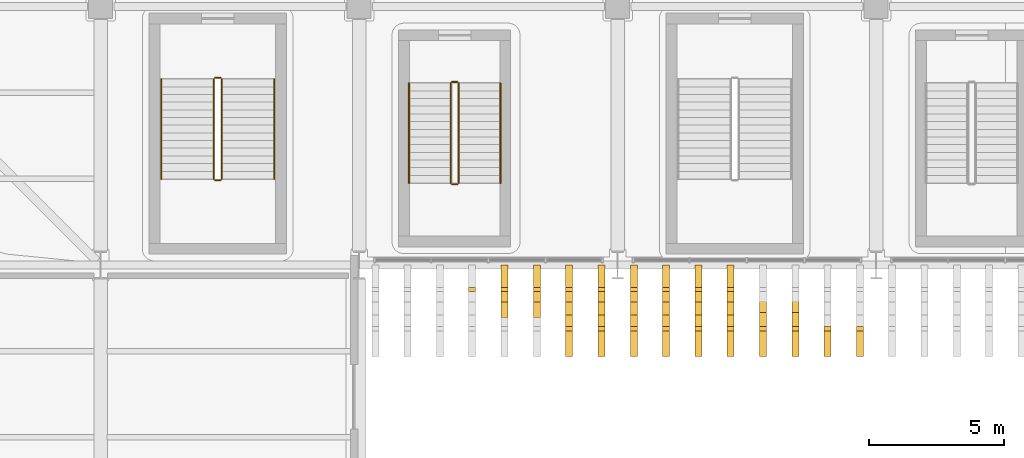
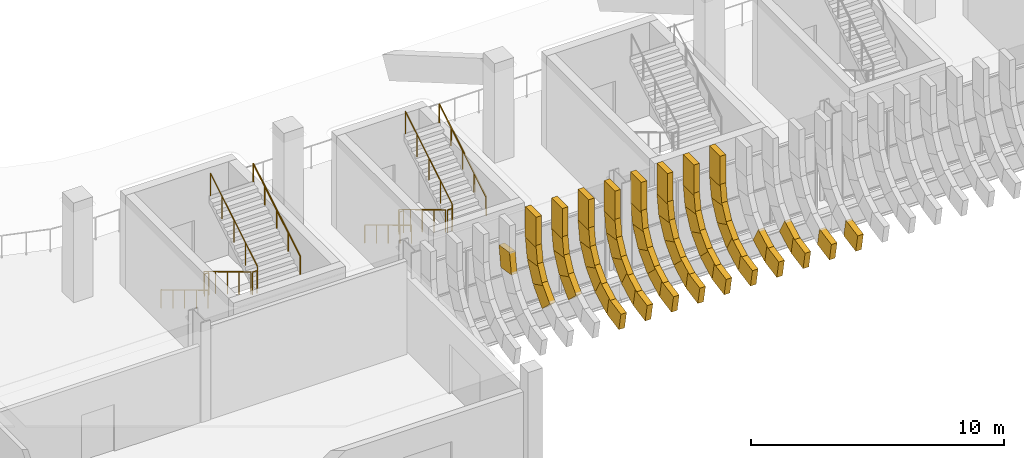
# One storey, part 71 of 100: 51 coverings, 12 railings.
"""IFC4 building model written with IfcOpenShell, lengths in metres."""

from ifc_helpers import new_model, si_unit, direction, frame, origin, origin_2d, place, context, subcontext, project, spatial, rectangle, circle, extrude, material, material_profile, profile_set, type_object, element, save


model = new_model("IFC4")

# Units and contexts
model_context = context("Model", 3, precision=1e-05, world=origin(), true_north=direction((0.0, 1.0)))
body_context = subcontext(model_context, "Body", "Model", "MODEL_VIEW")
ifc_project = project(units=[si_unit("LENGTHUNIT", "METRE"), si_unit("AREAUNIT", "SQUARE_METRE"), si_unit("VOLUMEUNIT", "CUBIC_METRE"), si_unit("PLANEANGLEUNIT", "RADIAN"), si_unit("MASSUNIT", "GRAM", prefix="KILO")], contexts=[model_context])

# Site, building, storey
site_placement = place(None, origin())
site = spatial("IfcSite", under=ifc_project, at=site_placement, CompositionType="ELEMENT")
building_placement = place(site_placement, origin())
building = spatial("IfcBuilding", under=site, at=building_placement, Name="Caelomonte Colonnade Arena", CompositionType="ELEMENT")
storey_placement = place(building_placement, origin())
storey = spatial("IfcBuildingStorey", under=building, at=storey_placement, Name="L00", CompositionType="ELEMENT", Elevation=0.0)

# Coverings
ifc_material_1 = material(Name="Precast travertine cladding", Category="masonry")
ifc_material_profile = material_profile(ifc_material_1, rectangle(XDim=0.260009765625, YDim=0.85009765625, at=origin_2d()), Name="FIN260X850")
ifc_profile_set = profile_set([ifc_material_profile], Name="Precast travertine cladding")
covering_type = type_object("IfcCoveringType", Name="ENV-FN-SKIRT", PredefinedType="CLADDING", material=ifc_profile_set)
covering_1_placement = place(storey_placement, frame((90.60009765625, 18.785888671875, 3.474609375), z_axis=(0.0, -0.153076342973, -0.988214366027), x_axis=(-1.0, 0.0, 0.0)))
element("IfcCovering", 1, at=covering_1_placement, inside=storey, type_object=covering_type, Name="V1 L00 splayed classical fin skirt chord 1 (249)", PredefinedType="CLADDING", context=body_context, shape_type="SweptSolid", body=[
    extrude(rectangle(XDim=0.260009765625, YDim=0.85009765625, at=origin_2d()), origin(), (0.0, 0.0, 1.0), 1.008056640625),
])
covering_2_placement = place(storey_placement, frame((91.800048828125, 18.779052734375, 3.360107421875), z_axis=(0.0, 0.0, 1.0), x_axis=(-1.0, 0.0, 0.0)))
element("IfcCovering", 2, at=covering_2_placement, inside=storey, type_object=covering_type, Name="V1 L00 upper classical fin stem 250", PredefinedType="CLADDING", context=body_context, shape_type="SweptSolid", body=[
    extrude(rectangle(XDim=0.260009765625, YDim=0.85009765625, at=origin_2d()), origin(), (0.0, 0.0, 1.0), 1.4599609375),
])
for number, where, z_axis, x_axis, name in (
    (3, (91.800048828125, 18.785888671875, 3.474609375), (0.0, -0.153076342973, -0.988214366027), (-1.0, 0.0, 0.0), "V1 L00 splayed classical fin skirt chord 1 (250)"),
    (4, (91.800048828125, 18.65869140625, 2.563232421875), (0.0, -0.444692864571, -0.89568312265), (-1.0, 0.0, 0.0), "V1 L00 splayed classical fin skirt chord 2 (250)"),
    (5, (91.800048828125, 18.26171875, 1.733154296875), (0.0, -0.694646381209, -0.71935137803), (-1.0, 0.0, 0.0), "V1 L00 splayed classical fin skirt chord 3 (250)"),
):
    element("IfcCovering", number, at=place(storey_placement, frame(where, z_axis=z_axis, x_axis=x_axis)), inside=storey, type_object=covering_type, Name=name, PredefinedType="CLADDING", context=body_context, shape_type="SweptSolid", body=[
        extrude(rectangle(XDim=0.260009765625, YDim=0.85009765625, at=origin_2d()), origin(), (0.0, 0.0, 1.0), 1.008056640625),
    ])
covering_3_placement = place(storey_placement, frame((93.0, 18.779052734375, 3.360107421875), z_axis=(0.0, 0.0, 1.0), x_axis=(-1.0, 0.0, 0.0)))
element("IfcCovering", 6, at=covering_3_placement, inside=storey, type_object=covering_type, Name="V1 L00 upper classical fin stem 251", PredefinedType="CLADDING", context=body_context, shape_type="SweptSolid", body=[
    extrude(rectangle(XDim=0.260009765625, YDim=0.85009765625, at=origin_2d()), origin(), (0.0, 0.0, 1.0), 1.4599609375),
])
for number, where, z_axis, x_axis, name in (
    (7, (93.0, 18.785888671875, 3.474609375), (0.0, -0.153076342973, -0.988214366027), (-1.0, 0.0, 0.0), "V1 L00 splayed classical fin skirt chord 1 (251)"),
    (8, (93.0, 18.65869140625, 2.563232421875), (0.0, -0.444692864571, -0.89568312265), (-1.0, 0.0, 0.0), "V1 L00 splayed classical fin skirt chord 2 (251)"),
    (9, (93.0, 18.26171875, 1.733154296875), (0.0, -0.694646381209, -0.71935137803), (-1.0, 0.0, 0.0), "V1 L00 splayed classical fin skirt chord 3 (251)"),
):
    element("IfcCovering", number, at=place(storey_placement, frame(where, z_axis=z_axis, x_axis=x_axis)), inside=storey, type_object=covering_type, Name=name, PredefinedType="CLADDING", context=body_context, shape_type="SweptSolid", body=[
        extrude(rectangle(XDim=0.260009765625, YDim=0.85009765625, at=origin_2d()), origin(), (0.0, 0.0, 1.0), 1.008056640625),
    ])
covering_4_placement = place(storey_placement, frame((94.199951171875, 18.779052734375, 3.360107421875), z_axis=(0.0, 0.0, 1.0), x_axis=(-1.0, 0.0, 0.0)))
element("IfcCovering", 10, at=covering_4_placement, inside=storey, type_object=covering_type, Name="V1 L00 upper classical fin stem 252", PredefinedType="CLADDING", context=body_context, shape_type="SweptSolid", body=[
    extrude(rectangle(XDim=0.260009765625, YDim=0.85009765625, at=origin_2d()), origin(), (0.0, 0.0, 1.0), 1.4599609375),
])
for number, where, z_axis, x_axis, name in (
    (11, (94.199951171875, 18.785888671875, 3.474609375), (0.0, -0.153076342973, -0.988214366027), (-1.0, 0.0, 0.0), "V1 L00 splayed classical fin skirt chord 1 (252)"),
    (12, (94.199951171875, 18.65869140625, 2.563232421875), (0.0, -0.444692864571, -0.89568312265), (-1.0, 0.0, 0.0), "V1 L00 splayed classical fin skirt chord 2 (252)"),
    (13, (94.199951171875, 18.26171875, 1.733154296875), (0.0, -0.694646381209, -0.71935137803), (-1.0, 0.0, 0.0), "V1 L00 splayed classical fin skirt chord 3 (252)"),
):
    element("IfcCovering", number, at=place(storey_placement, frame(where, z_axis=z_axis, x_axis=x_axis)), inside=storey, type_object=covering_type, Name=name, PredefinedType="CLADDING", context=body_context, shape_type="SweptSolid", body=[
        extrude(rectangle(XDim=0.260009765625, YDim=0.85009765625, at=origin_2d()), origin(), (0.0, 0.0, 1.0), 1.008056640625),
    ])
covering_5_placement = place(storey_placement, frame((94.199951171875, 17.63232421875, 1.061767578125), z_axis=(0.0, -0.879676382338, -0.475572772935), x_axis=(-1.0, 0.0, 0.0)))
element("IfcCovering", 14, at=covering_5_placement, inside=storey, type_object=covering_type, Name="V1 L00 splayed classical fin skirt chord 4 (252)", PredefinedType="CLADDING", context=body_context, shape_type="SweptSolid", body=[
    extrude(rectangle(XDim=0.260009765625, YDim=0.85009765625, at=origin_2d()), origin(), (0.0, 0.0, 1.0), 1.0078125),
])
covering_6_placement = place(storey_placement, frame((94.199951171875, 16.82958984375, 0.6123046875), z_axis=(0.0, -0.982287485173, -0.187380085582), x_axis=(-1.0, 0.0, 0.0)))
element("IfcCovering", 15, at=covering_6_placement, inside=storey, type_object=covering_type, Name="V1 L00 splayed classical fin skirt chord 5 (252)", PredefinedType="CLADDING", context=body_context, shape_type="SweptSolid", body=[
    extrude(rectangle(XDim=0.260009765625, YDim=0.85009765625, at=origin_2d()), origin(), (0.0, 0.0, 1.0), 0.962890625),
])
covering_7_placement = place(storey_placement, frame((95.39990234375, 18.779052734375, 3.360107421875), z_axis=(0.0, 0.0, 1.0), x_axis=(-1.0, 0.0, 0.0)))
element("IfcCovering", 16, at=covering_7_placement, inside=storey, type_object=covering_type, Name="V1 L00 upper classical fin stem 253", PredefinedType="CLADDING", context=body_context, shape_type="SweptSolid", body=[
    extrude(rectangle(XDim=0.260009765625, YDim=0.85009765625, at=origin_2d()), origin(), (0.0, 0.0, 1.0), 1.4599609375),
])
for number, where, z_axis, x_axis, name in (
    (17, (95.39990234375, 18.785888671875, 3.474609375), (0.0, -0.153076342973, -0.988214366027), (-1.0, 0.0, 0.0), "V1 L00 splayed classical fin skirt chord 1 (253)"),
    (18, (95.39990234375, 18.65869140625, 2.563232421875), (0.0, -0.444692864571, -0.89568312265), (-1.0, 0.0, 0.0), "V1 L00 splayed classical fin skirt chord 2 (253)"),
    (19, (95.39990234375, 18.26171875, 1.733154296875), (0.0, -0.694646381209, -0.71935137803), (-1.0, 0.0, 0.0), "V1 L00 splayed classical fin skirt chord 3 (253)"),
):
    element("IfcCovering", number, at=place(storey_placement, frame(where, z_axis=z_axis, x_axis=x_axis)), inside=storey, type_object=covering_type, Name=name, PredefinedType="CLADDING", context=body_context, shape_type="SweptSolid", body=[
        extrude(rectangle(XDim=0.260009765625, YDim=0.85009765625, at=origin_2d()), origin(), (0.0, 0.0, 1.0), 1.008056640625),
    ])
covering_8_placement = place(storey_placement, frame((95.39990234375, 17.63232421875, 1.061767578125), z_axis=(0.0, -0.879676382338, -0.475572772935), x_axis=(-1.0, 0.0, 0.0)))
element("IfcCovering", 20, at=covering_8_placement, inside=storey, type_object=covering_type, Name="V1 L00 splayed classical fin skirt chord 4 (253)", PredefinedType="CLADDING", context=body_context, shape_type="SweptSolid", body=[
    extrude(rectangle(XDim=0.260009765625, YDim=0.85009765625, at=origin_2d()), origin(), (0.0, 0.0, 1.0), 1.0078125),
])
covering_9_placement = place(storey_placement, frame((95.39990234375, 16.82958984375, 0.6123046875), z_axis=(0.0, -0.982287485173, -0.187380085582), x_axis=(-1.0, 0.0, 0.0)))
element("IfcCovering", 21, at=covering_9_placement, inside=storey, type_object=covering_type, Name="V1 L00 splayed classical fin skirt chord 5 (253)", PredefinedType="CLADDING", context=body_context, shape_type="SweptSolid", body=[
    extrude(rectangle(XDim=0.260009765625, YDim=0.85009765625, at=origin_2d()), origin(), (0.0, 0.0, 1.0), 0.962890625),
])
covering_10_placement = place(storey_placement, frame((96.60009765625, 18.779052734375, 3.360107421875), z_axis=(0.0, 0.0, 1.0), x_axis=(-1.0, 0.0, 0.0)))
element("IfcCovering", 22, at=covering_10_placement, inside=storey, type_object=covering_type, Name="V1 L00 upper classical fin stem 254", PredefinedType="CLADDING", context=body_context, shape_type="SweptSolid", body=[
    extrude(rectangle(XDim=0.260009765625, YDim=0.85009765625, at=origin_2d()), origin(), (0.0, 0.0, 1.0), 1.4599609375),
])
for number, where, z_axis, x_axis, name in (
    (23, (96.60009765625, 18.785888671875, 3.474609375), (0.0, -0.153076342973, -0.988214366027), (-1.0, 0.0, 0.0), "V1 L00 splayed classical fin skirt chord 1 (254)"),
    (24, (96.60009765625, 18.65869140625, 2.563232421875), (0.0, -0.444692864571, -0.89568312265), (-1.0, 0.0, 0.0), "V1 L00 splayed classical fin skirt chord 2 (254)"),
    (25, (96.60009765625, 18.26171875, 1.733154296875), (0.0, -0.694646381209, -0.71935137803), (-1.0, 0.0, 0.0), "V1 L00 splayed classical fin skirt chord 3 (254)"),
):
    element("IfcCovering", number, at=place(storey_placement, frame(where, z_axis=z_axis, x_axis=x_axis)), inside=storey, type_object=covering_type, Name=name, PredefinedType="CLADDING", context=body_context, shape_type="SweptSolid", body=[
        extrude(rectangle(XDim=0.260009765625, YDim=0.85009765625, at=origin_2d()), origin(), (0.0, 0.0, 1.0), 1.008056640625),
    ])
covering_11_placement = place(storey_placement, frame((96.60009765625, 17.63232421875, 1.061767578125), z_axis=(0.0, -0.879676382338, -0.475572772935), x_axis=(-1.0, 0.0, 0.0)))
element("IfcCovering", 26, at=covering_11_placement, inside=storey, type_object=covering_type, Name="V1 L00 splayed classical fin skirt chord 4 (254)", PredefinedType="CLADDING", context=body_context, shape_type="SweptSolid", body=[
    extrude(rectangle(XDim=0.260009765625, YDim=0.85009765625, at=origin_2d()), origin(), (0.0, 0.0, 1.0), 1.0078125),
])
covering_12_placement = place(storey_placement, frame((96.60009765625, 16.82958984375, 0.6123046875), z_axis=(0.0, -0.982287485173, -0.187380085582), x_axis=(-1.0, 0.0, 0.0)))
element("IfcCovering", 27, at=covering_12_placement, inside=storey, type_object=covering_type, Name="V1 L00 splayed classical fin skirt chord 5 (254)", PredefinedType="CLADDING", context=body_context, shape_type="SweptSolid", body=[
    extrude(rectangle(XDim=0.260009765625, YDim=0.85009765625, at=origin_2d()), origin(), (0.0, 0.0, 1.0), 0.962890625),
])
covering_13_placement = place(storey_placement, frame((97.800048828125, 18.779052734375, 3.360107421875), z_axis=(0.0, 0.0, 1.0), x_axis=(-1.0, 0.0, 0.0)))
element("IfcCovering", 28, at=covering_13_placement, inside=storey, type_object=covering_type, Name="V1 L00 upper classical fin stem 255", PredefinedType="CLADDING", context=body_context, shape_type="SweptSolid", body=[
    extrude(rectangle(XDim=0.260009765625, YDim=0.85009765625, at=origin_2d()), origin(), (0.0, 0.0, 1.0), 1.4599609375),
])
for number, where, z_axis, x_axis, name in (
    (29, (97.800048828125, 18.785888671875, 3.474609375), (0.0, -0.153076342973, -0.988214366027), (-1.0, 0.0, 0.0), "V1 L00 splayed classical fin skirt chord 1 (255)"),
    (30, (97.800048828125, 18.65869140625, 2.563232421875), (0.0, -0.444692864571, -0.89568312265), (-1.0, 0.0, 0.0), "V1 L00 splayed classical fin skirt chord 2 (255)"),
    (31, (97.800048828125, 18.26171875, 1.733154296875), (0.0, -0.694646381209, -0.71935137803), (-1.0, 0.0, 0.0), "V1 L00 splayed classical fin skirt chord 3 (255)"),
):
    element("IfcCovering", number, at=place(storey_placement, frame(where, z_axis=z_axis, x_axis=x_axis)), inside=storey, type_object=covering_type, Name=name, PredefinedType="CLADDING", context=body_context, shape_type="SweptSolid", body=[
        extrude(rectangle(XDim=0.260009765625, YDim=0.85009765625, at=origin_2d()), origin(), (0.0, 0.0, 1.0), 1.008056640625),
    ])
covering_14_placement = place(storey_placement, frame((97.800048828125, 17.63232421875, 1.061767578125), z_axis=(0.0, -0.879676382338, -0.475572772935), x_axis=(-1.0, 0.0, 0.0)))
element("IfcCovering", 32, at=covering_14_placement, inside=storey, type_object=covering_type, Name="V1 L00 splayed classical fin skirt chord 4 (255)", PredefinedType="CLADDING", context=body_context, shape_type="SweptSolid", body=[
    extrude(rectangle(XDim=0.260009765625, YDim=0.85009765625, at=origin_2d()), origin(), (0.0, 0.0, 1.0), 1.0078125),
])
covering_15_placement = place(storey_placement, frame((97.800048828125, 16.82958984375, 0.6123046875), z_axis=(0.0, -0.982287485173, -0.187380085582), x_axis=(-1.0, 0.0, 0.0)))
element("IfcCovering", 33, at=covering_15_placement, inside=storey, type_object=covering_type, Name="V1 L00 splayed classical fin skirt chord 5 (255)", PredefinedType="CLADDING", context=body_context, shape_type="SweptSolid", body=[
    extrude(rectangle(XDim=0.260009765625, YDim=0.85009765625, at=origin_2d()), origin(), (0.0, 0.0, 1.0), 0.962890625),
])
covering_16_placement = place(storey_placement, frame((99.0, 18.779052734375, 3.360107421875), z_axis=(0.0, 0.0, 1.0), x_axis=(-1.0, 0.0, 0.0)))
element("IfcCovering", 34, at=covering_16_placement, inside=storey, type_object=covering_type, Name="V1 L00 upper classical fin stem 256", PredefinedType="CLADDING", context=body_context, shape_type="SweptSolid", body=[
    extrude(rectangle(XDim=0.260009765625, YDim=0.85009765625, at=origin_2d()), origin(), (0.0, 0.0, 1.0), 1.4599609375),
])
for number, where, z_axis, x_axis, name in (
    (35, (99.0, 18.785888671875, 3.474609375), (0.0, -0.153076342973, -0.988214366027), (-1.0, 0.0, 0.0), "V1 L00 splayed classical fin skirt chord 1 (256)"),
    (36, (99.0, 18.65869140625, 2.563232421875), (0.0, -0.444692864571, -0.89568312265), (-1.0, 0.0, 0.0), "V1 L00 splayed classical fin skirt chord 2 (256)"),
    (37, (99.0, 18.26171875, 1.733154296875), (0.0, -0.694646381209, -0.71935137803), (-1.0, 0.0, 0.0), "V1 L00 splayed classical fin skirt chord 3 (256)"),
):
    element("IfcCovering", number, at=place(storey_placement, frame(where, z_axis=z_axis, x_axis=x_axis)), inside=storey, type_object=covering_type, Name=name, PredefinedType="CLADDING", context=body_context, shape_type="SweptSolid", body=[
        extrude(rectangle(XDim=0.260009765625, YDim=0.85009765625, at=origin_2d()), origin(), (0.0, 0.0, 1.0), 1.008056640625),
    ])
covering_17_placement = place(storey_placement, frame((99.0, 17.63232421875, 1.061767578125), z_axis=(0.0, -0.879676382338, -0.475572772935), x_axis=(-1.0, 0.0, 0.0)))
element("IfcCovering", 38, at=covering_17_placement, inside=storey, type_object=covering_type, Name="V1 L00 splayed classical fin skirt chord 4 (256)", PredefinedType="CLADDING", context=body_context, shape_type="SweptSolid", body=[
    extrude(rectangle(XDim=0.260009765625, YDim=0.85009765625, at=origin_2d()), origin(), (0.0, 0.0, 1.0), 1.0078125),
])
covering_18_placement = place(storey_placement, frame((99.0, 16.82958984375, 0.6123046875), z_axis=(0.0, -0.982287485173, -0.187380085582), x_axis=(-1.0, 0.0, 0.0)))
element("IfcCovering", 39, at=covering_18_placement, inside=storey, type_object=covering_type, Name="V1 L00 splayed classical fin skirt chord 5 (256)", PredefinedType="CLADDING", context=body_context, shape_type="SweptSolid", body=[
    extrude(rectangle(XDim=0.260009765625, YDim=0.85009765625, at=origin_2d()), origin(), (0.0, 0.0, 1.0), 0.962890625),
])
covering_19_placement = place(storey_placement, frame((100.199951171875, 18.779052734375, 3.360107421875), z_axis=(0.0, 0.0, 1.0), x_axis=(-1.0, 0.0, 0.0)))
element("IfcCovering", 40, at=covering_19_placement, inside=storey, type_object=covering_type, Name="V1 L00 upper classical fin stem 257", PredefinedType="CLADDING", context=body_context, shape_type="SweptSolid", body=[
    extrude(rectangle(XDim=0.260009765625, YDim=0.85009765625, at=origin_2d()), origin(), (0.0, 0.0, 1.0), 1.4599609375),
])
for number, where, z_axis, x_axis, name in (
    (41, (100.199951171875, 18.785888671875, 3.474609375), (0.0, -0.153076342973, -0.988214366027), (-1.0, 0.0, 0.0), "V1 L00 splayed classical fin skirt chord 1 (257)"),
    (42, (100.199951171875, 18.65869140625, 2.563232421875), (0.0, -0.444692864571, -0.89568312265), (-1.0, 0.0, 0.0), "V1 L00 splayed classical fin skirt chord 2 (257)"),
    (43, (100.199951171875, 18.26171875, 1.733154296875), (0.0, -0.694646381209, -0.71935137803), (-1.0, 0.0, 0.0), "V1 L00 splayed classical fin skirt chord 3 (257)"),
):
    element("IfcCovering", number, at=place(storey_placement, frame(where, z_axis=z_axis, x_axis=x_axis)), inside=storey, type_object=covering_type, Name=name, PredefinedType="CLADDING", context=body_context, shape_type="SweptSolid", body=[
        extrude(rectangle(XDim=0.260009765625, YDim=0.85009765625, at=origin_2d()), origin(), (0.0, 0.0, 1.0), 1.008056640625),
    ])
covering_20_placement = place(storey_placement, frame((100.199951171875, 17.63232421875, 1.061767578125), z_axis=(0.0, -0.879676382338, -0.475572772935), x_axis=(-1.0, 0.0, 0.0)))
element("IfcCovering", 44, at=covering_20_placement, inside=storey, type_object=covering_type, Name="V1 L00 splayed classical fin skirt chord 4 (257)", PredefinedType="CLADDING", context=body_context, shape_type="SweptSolid", body=[
    extrude(rectangle(XDim=0.260009765625, YDim=0.85009765625, at=origin_2d()), origin(), (0.0, 0.0, 1.0), 1.0078125),
])
covering_21_placement = place(storey_placement, frame((100.199951171875, 16.82958984375, 0.6123046875), z_axis=(0.0, -0.982287485173, -0.187380085582), x_axis=(-1.0, 0.0, 0.0)))
element("IfcCovering", 45, at=covering_21_placement, inside=storey, type_object=covering_type, Name="V1 L00 splayed classical fin skirt chord 5 (257)", PredefinedType="CLADDING", context=body_context, shape_type="SweptSolid", body=[
    extrude(rectangle(XDim=0.260009765625, YDim=0.85009765625, at=origin_2d()), origin(), (0.0, 0.0, 1.0), 0.962890625),
])
covering_22_placement = place(storey_placement, frame((101.39990234375, 17.63232421875, 1.061767578125), z_axis=(0.0, -0.879676382338, -0.475572772935), x_axis=(-1.0, 0.0, 0.0)))
element("IfcCovering", 46, at=covering_22_placement, inside=storey, type_object=covering_type, Name="V1 L00 splayed classical fin skirt chord 4 (258)", PredefinedType="CLADDING", context=body_context, shape_type="SweptSolid", body=[
    extrude(rectangle(XDim=0.260009765625, YDim=0.85009765625, at=origin_2d()), origin(), (0.0, 0.0, 1.0), 1.0078125),
])
covering_23_placement = place(storey_placement, frame((101.39990234375, 16.82958984375, 0.6123046875), z_axis=(0.0, -0.982287485173, -0.187380085582), x_axis=(-1.0, 0.0, 0.0)))
element("IfcCovering", 47, at=covering_23_placement, inside=storey, type_object=covering_type, Name="V1 L00 splayed classical fin skirt chord 5 (258)", PredefinedType="CLADDING", context=body_context, shape_type="SweptSolid", body=[
    extrude(rectangle(XDim=0.260009765625, YDim=0.85009765625, at=origin_2d()), origin(), (0.0, 0.0, 1.0), 0.962890625),
])
covering_24_placement = place(storey_placement, frame((102.60009765625, 17.63232421875, 1.061767578125), z_axis=(0.0, -0.879676382338, -0.475572772935), x_axis=(-1.0, 0.0, 0.0)))
element("IfcCovering", 48, at=covering_24_placement, inside=storey, type_object=covering_type, Name="V1 L00 splayed classical fin skirt chord 4 (259)", PredefinedType="CLADDING", context=body_context, shape_type="SweptSolid", body=[
    extrude(rectangle(XDim=0.260009765625, YDim=0.85009765625, at=origin_2d()), origin(), (0.0, 0.0, 1.0), 1.0078125),
])
for number, where, z_axis, x_axis, name in (
    (49, (102.60009765625, 16.82958984375, 0.6123046875), (0.0, -0.982287485173, -0.187380085582), (-1.0, 0.0, 0.0), "V1 L00 splayed classical fin skirt chord 5 (259)"),
    (50, (103.800048828125, 16.82958984375, 0.6123046875), (0.0, -0.982287485173, -0.187380085582), (-1.0, 0.0, 0.0), "V1 L00 splayed classical fin skirt chord 5 (260)"),
    (51, (105.0, 16.82958984375, 0.6123046875), (0.0, -0.982287485173, -0.187380085582), (-1.0, 0.0, 0.0), "V1 L00 splayed classical fin skirt chord 5 (261)"),
):
    element("IfcCovering", number, at=place(storey_placement, frame(where, z_axis=z_axis, x_axis=x_axis)), inside=storey, type_object=covering_type, Name=name, PredefinedType="CLADDING", context=body_context, shape_type="SweptSolid", body=[
        extrude(rectangle(XDim=0.260009765625, YDim=0.85009765625, at=origin_2d()), origin(), (0.0, 0.0, 1.0), 0.962890625),
    ])

# Railings
ifc_material_2 = material(Name="Painted galvanized steel stair guard", Category="steel")
railing_type_1 = type_object("IfcRailingType", Name="INT-RL-GRD", PredefinedType="GUARDRAIL", material=ifc_material_2)
railing_1_placement = place(storey_placement, frame((81.0, 26.10009765625, 0.17138671875)))
element("IfcRailing", 52, at=railing_1_placement, inside=storey, type_object=railing_type_1, Name="L00 ST-11 stair guard 1", PredefinedType="GUARDRAIL", context=body_context, shape_type="SweptSolid", body=[
    extrude(circle(Radius=0.02392578125, at=origin_2d()), frame((0.0, 0.0, 1.076171875), z_axis=(0.0, -0.856934400257, 0.515425487977), x_axis=(1.0, 0.0, 0.0)), (0.0, 0.0, 1.0), 4.32373046875),
    extrude(circle(Radius=0.02099609375, at=origin_2d()), origin(), (0.0, 0.0, 1.0), 1.048095703125),
    extrude(circle(Radius=0.02099609375, at=origin_2d()), frame((0.0, -0.92626953125, 0.55712890625)), (0.0, 0.0, 1.0), 1.048095703125),
    extrude(circle(Radius=0.02099609375, at=origin_2d()), frame((0.0, -1.8525390625, 1.1142578125)), (0.0, 0.0, 1.0), 1.048095703125),
    extrude(circle(Radius=0.02099609375, at=origin_2d()), frame((0.0, -2.77880859375, 1.67138671875)), (0.0, 0.0, 1.0), 1.048095703125),
    extrude(circle(Radius=0.02099609375, at=origin_2d()), frame((0.0, -3.705078125, 2.228515625)), (0.0, 0.0, 1.0), 1.048095703125),
])
railing_2_placement = place(storey_placement, frame((81.050048828125, 22.344970703125, 2.39990234375)))
element("IfcRailing", 53, at=railing_2_placement, inside=storey, type_object=railing_type_1, Name="L00 ST-11 stair guard 2", PredefinedType="GUARDRAIL", context=body_context, shape_type="SweptSolid", body=[
    extrude(circle(Radius=0.02392578125, at=origin_2d()), frame((0.0, 0.0, 1.076171875), z_axis=(1.0, 0.0, 0.0), x_axis=(0.0, 1.0, 0.0)), (0.0, 0.0, 1.0), 0.199951171875),
    extrude(circle(Radius=0.02099609375, at=origin_2d()), origin(), (0.0, 0.0, 1.0), 1.048095703125),
    extrude(circle(Radius=0.02099609375, at=origin_2d()), frame((0.199951171875, 0.0, 0.0)), (0.0, 0.0, 1.0), 1.048095703125),
])
railing_3_placement = place(storey_placement, frame((81.300048828125, 22.39501953125, 2.571533203125)))
element("IfcRailing", 54, at=railing_3_placement, inside=storey, type_object=railing_type_1, Name="L00 ST-11 stair guard 3", PredefinedType="GUARDRAIL", context=body_context, shape_type="SweptSolid", body=[
    extrude(circle(Radius=0.02392578125, at=origin_2d()), frame((0.0, 0.0, 1.076171875), z_axis=(0.0, 0.856934400257, 0.515425487977), x_axis=(-1.0, 0.0, 0.0)), (0.0, 0.0, 1.0), 4.32373046875),
    extrude(circle(Radius=0.02099609375, at=origin_2d()), origin(), (0.0, 0.0, 1.0), 1.048095703125),
    extrude(circle(Radius=0.02099609375, at=origin_2d()), frame((0.0, 0.92626953125, 0.55712890625)), (0.0, 0.0, 1.0), 1.048095703125),
    extrude(circle(Radius=0.02099609375, at=origin_2d()), frame((0.0, 1.8525390625, 1.1142578125)), (0.0, 0.0, 1.0), 1.048095703125),
    extrude(circle(Radius=0.02099609375, at=origin_2d()), frame((0.0, 2.77880859375, 1.67138671875)), (0.0, 0.0, 1.0), 1.048095703125),
    extrude(circle(Radius=0.02099609375, at=origin_2d()), frame((0.0, 3.705078125, 2.228515625)), (0.0, 0.0, 1.0), 1.048095703125),
])
railing_4_placement = place(storey_placement, frame((81.050048828125, 26.14990234375, 0.0)))
element("IfcRailing", 55, at=railing_4_placement, inside=storey, type_object=railing_type_1, Name="L00 ST-11 stair guard 4", PredefinedType="GUARDRAIL", context=body_context, shape_type="SweptSolid", body=[
    extrude(circle(Radius=0.02392578125, at=origin_2d()), frame((0.0, 0.0, 1.076171875), z_axis=(1.0, 0.0, 0.0), x_axis=(0.0, 1.0, 0.0)), (0.0, 0.0, 1.0), 0.199951171875),
    extrude(circle(Radius=0.02099609375, at=origin_2d()), origin(), (0.0, 0.0, 1.0), 1.048095703125),
    extrude(circle(Radius=0.02099609375, at=origin_2d()), frame((0.199951171875, 0.0, 0.0)), (0.0, 0.0, 1.0), 1.048095703125),
])
railing_5_placement = place(storey_placement, frame((89.800048828125, 25.949951171875, 0.17138671875)))
element("IfcRailing", 56, at=railing_5_placement, inside=storey, type_object=railing_type_1, Name="L00 ST-V01 stair guard 1", PredefinedType="GUARDRAIL", context=body_context, shape_type="SweptSolid", body=[
    extrude(circle(Radius=0.02392578125, at=origin_2d()), frame((0.0, 0.0, 1.076171875), z_axis=(0.0, -0.856919398105, 0.515450429384), x_axis=(1.0, 0.0, 0.0)), (0.0, 0.0, 1.0), 4.323486328125),
    extrude(circle(Radius=0.02099609375, at=origin_2d()), origin(), (0.0, 0.0, 1.0), 1.048095703125),
    extrude(circle(Radius=0.02099609375, at=origin_2d()), frame((0.0, -0.92626953125, 0.55712890625)), (0.0, 0.0, 1.0), 1.048095703125),
    extrude(circle(Radius=0.02099609375, at=origin_2d()), frame((0.0, -1.8525390625, 1.1142578125)), (0.0, 0.0, 1.0), 1.048095703125),
    extrude(circle(Radius=0.02099609375, at=origin_2d()), frame((0.0, -2.778564453125, 1.67138671875)), (0.0, 0.0, 1.0), 1.048095703125),
    extrude(circle(Radius=0.02099609375, at=origin_2d()), frame((0.0, -3.704833984375, 2.228515625)), (0.0, 0.0, 1.0), 1.048095703125),
])
railing_6_placement = place(storey_placement, frame((89.85009765625, 22.195068359375, 2.39990234375)))
element("IfcRailing", 57, at=railing_6_placement, inside=storey, type_object=railing_type_1, Name="L00 ST-V01 stair guard 2", PredefinedType="GUARDRAIL", context=body_context, shape_type="SweptSolid", body=[
    extrude(circle(Radius=0.02392578125, at=origin_2d()), frame((0.0, 0.0, 1.076171875), z_axis=(1.0, 0.0, 0.0), x_axis=(0.0, 1.0, 0.0)), (0.0, 0.0, 1.0), 0.199951171875),
    extrude(circle(Radius=0.02099609375, at=origin_2d()), origin(), (0.0, 0.0, 1.0), 1.048095703125),
    extrude(circle(Radius=0.02099609375, at=origin_2d()), frame((0.199951171875, 0.0, 0.0)), (0.0, 0.0, 1.0), 1.048095703125),
])
railing_7_placement = place(storey_placement, frame((90.10009765625, 22.2451171875, 2.571533203125)))
element("IfcRailing", 58, at=railing_7_placement, inside=storey, type_object=railing_type_1, Name="L00 ST-V01 stair guard 3", PredefinedType="GUARDRAIL", context=body_context, shape_type="SweptSolid", body=[
    extrude(circle(Radius=0.02392578125, at=origin_2d()), frame((0.0, 0.0, 1.076171875), z_axis=(0.0, 0.856919398105, 0.515450429384), x_axis=(-1.0, 0.0, 0.0)), (0.0, 0.0, 1.0), 4.323486328125),
    extrude(circle(Radius=0.02099609375, at=origin_2d()), origin(), (0.0, 0.0, 1.0), 1.048095703125),
    extrude(circle(Radius=0.02099609375, at=origin_2d()), frame((0.0, 0.92626953125, 0.55712890625)), (0.0, 0.0, 1.0), 1.048095703125),
    extrude(circle(Radius=0.02099609375, at=origin_2d()), frame((0.0, 1.8525390625, 1.1142578125)), (0.0, 0.0, 1.0), 1.048095703125),
    extrude(circle(Radius=0.02099609375, at=origin_2d()), frame((0.0, 2.778564453125, 1.67138671875)), (0.0, 0.0, 1.0), 1.048095703125),
    extrude(circle(Radius=0.02099609375, at=origin_2d()), frame((0.0, 3.704833984375, 2.228515625)), (0.0, 0.0, 1.0), 1.048095703125),
])
railing_8_placement = place(storey_placement, frame((89.85009765625, 26.0, 0.0)))
element("IfcRailing", 59, at=railing_8_placement, inside=storey, type_object=railing_type_1, Name="L00 ST-V01 stair guard 4", PredefinedType="GUARDRAIL", context=body_context, shape_type="SweptSolid", body=[
    extrude(circle(Radius=0.02392578125, at=origin_2d()), frame((0.0, 0.0, 1.076171875), z_axis=(1.0, 0.0, 0.0), x_axis=(0.0, 1.0, 0.0)), (0.0, 0.0, 1.0), 0.199951171875),
    extrude(circle(Radius=0.02099609375, at=origin_2d()), origin(), (0.0, 0.0, 1.0), 1.048095703125),
    extrude(circle(Radius=0.02099609375, at=origin_2d()), frame((0.199951171875, 0.0, 0.0)), (0.0, 0.0, 1.0), 1.048095703125),
])
ifc_material_3 = material(Name="Brushed stainless steel stair handrail", Category="steel")
railing_type_2 = type_object("IfcRailingType", Name="INT-RL-HR", PredefinedType="HANDRAIL", material=ifc_material_3)
railing_9_placement = place(storey_placement, frame((79.050048828125, 26.10009765625, 0.17138671875)))
element("IfcRailing", 60, at=railing_9_placement, inside=storey, type_object=railing_type_2, Name="L00 ST-11 stair handrail 1", PredefinedType="HANDRAIL", context=body_context, shape_type="SweptSolid", body=[
    extrude(circle(Radius=0.02392578125, at=origin_2d()), frame((0.0, 0.0, 0.8759765625), z_axis=(0.0, -0.856934400257, 0.515425487977), x_axis=(1.0, 0.0, 0.0)), (0.0, 0.0, 1.0), 4.32373046875),
    extrude(circle(Radius=0.02099609375, at=origin_2d()), origin(), (0.0, 0.0, 1.0), 0.847900390625),
    extrude(circle(Radius=0.02099609375, at=origin_2d()), frame((0.0, -0.92626953125, 0.55712890625)), (0.0, 0.0, 1.0), 0.847900390625),
    extrude(circle(Radius=0.02099609375, at=origin_2d()), frame((0.0, -1.8525390625, 1.1142578125)), (0.0, 0.0, 1.0), 0.847900390625),
    extrude(circle(Radius=0.02099609375, at=origin_2d()), frame((0.0, -2.77880859375, 1.67138671875)), (0.0, 0.0, 1.0), 0.847900390625),
    extrude(circle(Radius=0.02099609375, at=origin_2d()), frame((0.0, -3.705078125, 2.228515625)), (0.0, 0.0, 1.0), 0.847900390625),
])
railing_10_placement = place(storey_placement, frame((83.25, 22.39501953125, 2.571533203125)))
element("IfcRailing", 61, at=railing_10_placement, inside=storey, type_object=railing_type_2, Name="L00 ST-11 stair handrail 2", PredefinedType="HANDRAIL", context=body_context, shape_type="SweptSolid", body=[
    extrude(circle(Radius=0.02392578125, at=origin_2d()), frame((0.0, 0.0, 0.8759765625), z_axis=(0.0, 0.856934400257, 0.515425487977), x_axis=(-1.0, 0.0, 0.0)), (0.0, 0.0, 1.0), 4.32373046875),
    extrude(circle(Radius=0.02099609375, at=origin_2d()), origin(), (0.0, 0.0, 1.0), 0.847900390625),
    extrude(circle(Radius=0.02099609375, at=origin_2d()), frame((0.0, 0.92626953125, 0.55712890625)), (0.0, 0.0, 1.0), 0.847900390625),
    extrude(circle(Radius=0.02099609375, at=origin_2d()), frame((0.0, 1.8525390625, 1.1142578125)), (0.0, 0.0, 1.0), 0.847900390625),
    extrude(circle(Radius=0.02099609375, at=origin_2d()), frame((0.0, 2.77880859375, 1.67138671875)), (0.0, 0.0, 1.0), 0.847900390625),
    extrude(circle(Radius=0.02099609375, at=origin_2d()), frame((0.0, 3.705078125, 2.228515625)), (0.0, 0.0, 1.0), 0.847900390625),
])
railing_11_placement = place(storey_placement, frame((88.25, 25.949951171875, 0.17138671875)))
element("IfcRailing", 62, at=railing_11_placement, inside=storey, type_object=railing_type_2, Name="L00 ST-V01 stair handrail 1", PredefinedType="HANDRAIL", context=body_context, shape_type="SweptSolid", body=[
    extrude(circle(Radius=0.02392578125, at=origin_2d()), frame((0.0, 0.0, 0.8759765625), z_axis=(0.0, -0.856919398105, 0.515450429384), x_axis=(1.0, 0.0, 0.0)), (0.0, 0.0, 1.0), 4.323486328125),
    extrude(circle(Radius=0.02099609375, at=origin_2d()), origin(), (0.0, 0.0, 1.0), 0.847900390625),
    extrude(circle(Radius=0.02099609375, at=origin_2d()), frame((0.0, -0.92626953125, 0.55712890625)), (0.0, 0.0, 1.0), 0.847900390625),
    extrude(circle(Radius=0.02099609375, at=origin_2d()), frame((0.0, -1.8525390625, 1.1142578125)), (0.0, 0.0, 1.0), 0.847900390625),
    extrude(circle(Radius=0.02099609375, at=origin_2d()), frame((0.0, -2.778564453125, 1.67138671875)), (0.0, 0.0, 1.0), 0.847900390625),
    extrude(circle(Radius=0.02099609375, at=origin_2d()), frame((0.0, -3.704833984375, 2.228515625)), (0.0, 0.0, 1.0), 0.847900390625),
])
railing_12_placement = place(storey_placement, frame((91.64990234375, 22.2451171875, 2.571533203125)))
element("IfcRailing", 63, at=railing_12_placement, inside=storey, type_object=railing_type_2, Name="L00 ST-V01 stair handrail 2", PredefinedType="HANDRAIL", context=body_context, shape_type="SweptSolid", body=[
    extrude(circle(Radius=0.02392578125, at=origin_2d()), frame((0.0, 0.0, 0.8759765625), z_axis=(0.0, 0.856919398105, 0.515450429384), x_axis=(-1.0, 0.0, 0.0)), (0.0, 0.0, 1.0), 4.323486328125),
    extrude(circle(Radius=0.02099609375, at=origin_2d()), origin(), (0.0, 0.0, 1.0), 0.847900390625),
    extrude(circle(Radius=0.02099609375, at=origin_2d()), frame((0.0, 0.92626953125, 0.55712890625)), (0.0, 0.0, 1.0), 0.847900390625),
    extrude(circle(Radius=0.02099609375, at=origin_2d()), frame((0.0, 1.8525390625, 1.1142578125)), (0.0, 0.0, 1.0), 0.847900390625),
    extrude(circle(Radius=0.02099609375, at=origin_2d()), frame((0.0, 2.778564453125, 1.67138671875)), (0.0, 0.0, 1.0), 0.847900390625),
    extrude(circle(Radius=0.02099609375, at=origin_2d()), frame((0.0, 3.704833984375, 2.228515625)), (0.0, 0.0, 1.0), 0.847900390625),
])

save(model, "model.ifc")
